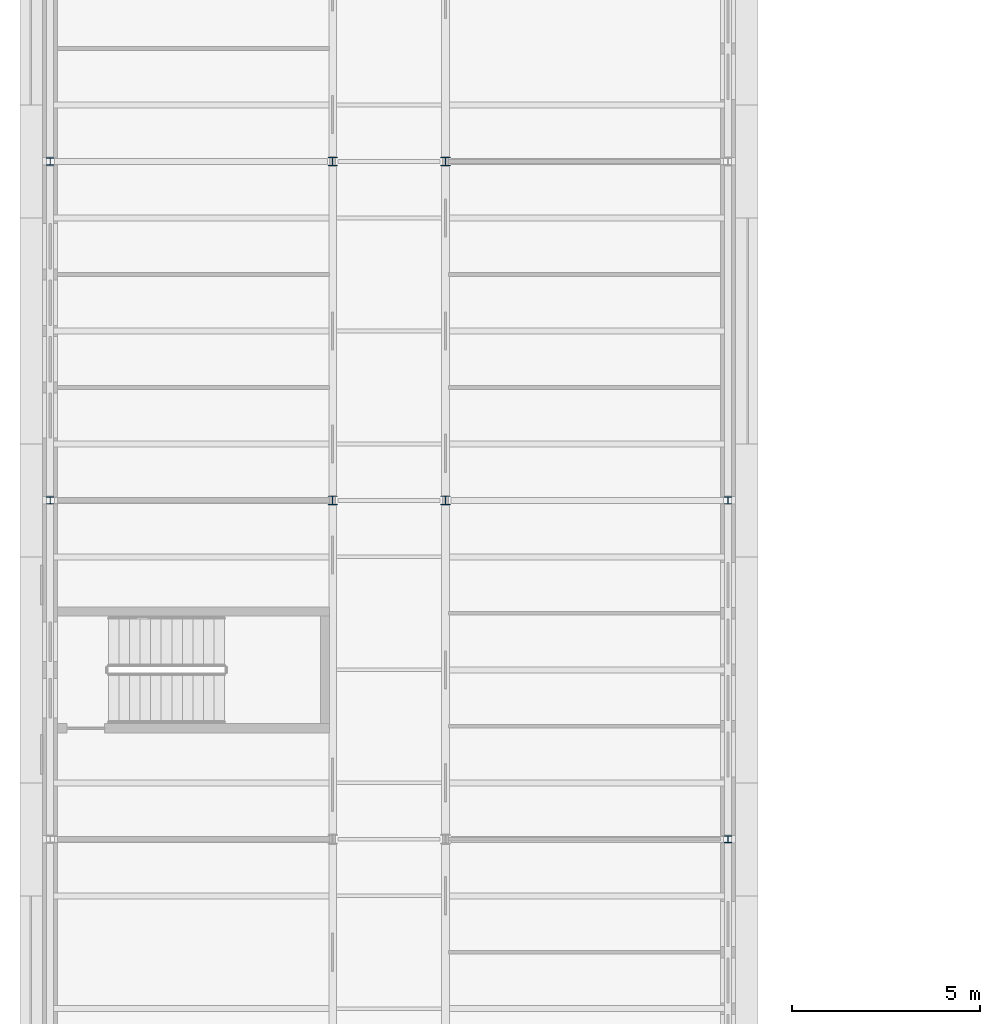
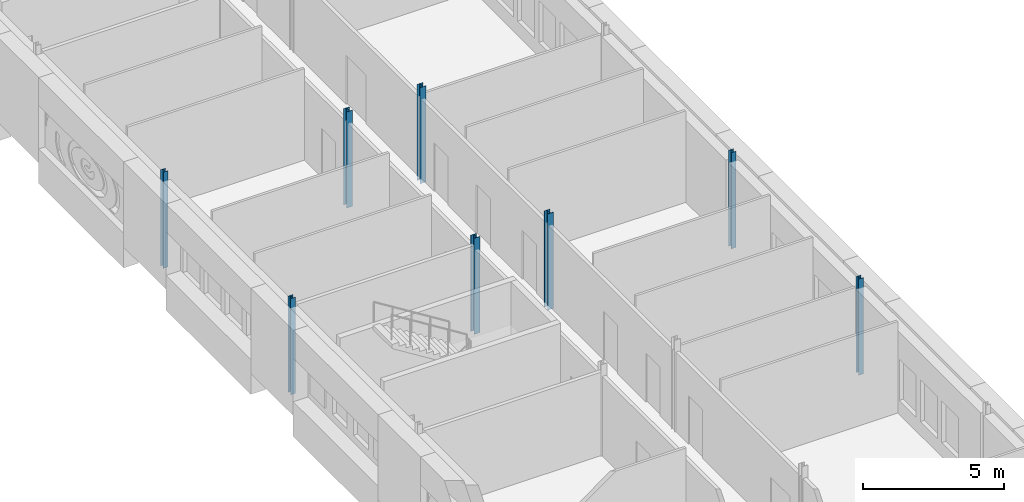
# One storey, part 3 of 42: 8 columns.
"""IFC4 building model written with IfcOpenShell, lengths in metres."""

from ifc_helpers import new_model, si_unit, direction, frame, origin, origin_2d, place, context, subcontext, project, spatial, i_section, extrude, material, material_profile, profile_set, type_object, element, save


model = new_model("IFC4")

# Units and contexts
model_context = context("Model", 3, precision=1e-05, world=origin(), true_north=direction((0.0, 1.0)))
body_context = subcontext(model_context, "Body", "Model", "MODEL_VIEW")
ifc_project = project(units=[si_unit("LENGTHUNIT", "METRE"), si_unit("AREAUNIT", "SQUARE_METRE"), si_unit("VOLUMEUNIT", "CUBIC_METRE"), si_unit("PLANEANGLEUNIT", "RADIAN"), si_unit("MASSUNIT", "GRAM", prefix="KILO")], contexts=[model_context])

# Site, building, storey
site_placement = place(None, origin())
site = spatial("IfcSite", under=ifc_project, at=site_placement, CompositionType="ELEMENT")
building_placement = place(site_placement, origin())
building = spatial("IfcBuilding", under=site, at=building_placement, Name="Golden Quay Civic Hall", CompositionType="ELEMENT")
storey_placement = place(building_placement, frame((0.0, 0.0, 22.800048828125)))
storey = spatial("IfcBuildingStorey", under=building, at=storey_placement, Name="L05", CompositionType="ELEMENT", Elevation=22.800048828125)

# Columns
ifc_material_1 = material(Name="Steel S355", Category="steel")
ifc_material_profile_1 = material_profile(ifc_material_1, i_section(OverallWidth=0.199951171875, OverallDepth=0.18994140625, WebThickness=0.006591796875, FlangeThickness=0.010009765625, FilletRadius=0.01806640625, at=origin_2d()), Name="HEA 200")
ifc_profile_set_1 = profile_set([ifc_material_profile_1], Name="Steel S355")
column_type_1 = type_object("IfcColumnType", Name="Steel column HEA 200", PredefinedType="COLUMN", material=ifc_profile_set_1)
for number, where, z_axis, x_axis, name in (
    (1, (0.0, 36.0, -0.199951171875), (0.0, 0.0, 1.0), (1.0, 0.0, 0.0), "Column 0/36 L05"),
    (2, (0.0, 45.0, -0.199951171875), (0.0, 0.0, 1.0), (1.0, 0.0, 0.0), "Column 0/45 L05"),
    (3, (18.0, 27.0, -0.199951171875), (0.0, 0.0, 1.0), (1.0, 0.0, 0.0), "Column 18/27 L05"),
    (4, (18.0, 36.0, -0.199951171875), (0.0, 0.0, 1.0), (1.0, 0.0, 0.0), "Column 18/36 L05"),
):
    element("IfcColumn", number, at=place(storey_placement, frame(where, z_axis=z_axis, x_axis=x_axis)), inside=storey, type_object=column_type_1, Name=name, PredefinedType="COLUMN", context=body_context, shape_type="SweptSolid", body=[
        extrude(i_section(OverallWidth=0.199951171875, OverallDepth=0.18994140625, WebThickness=0.006591796875, FlangeThickness=0.010009765625, FilletRadius=0.01806640625, at=origin_2d()), origin(), (0.0, 0.0, 1.0), 4.14990234375),
    ])
ifc_material_2 = material(Name="Steel S355", Category="steel")
ifc_material_profile_2 = material_profile(ifc_material_2, i_section(OverallWidth=0.239990234375, OverallDepth=0.22998046875, WebThickness=0.007568359375, FlangeThickness=0.011962890625, FilletRadius=0.02099609375, at=origin_2d()), Name="HEA 240")
ifc_profile_set_2 = profile_set([ifc_material_profile_2], Name="Steel S355")
column_type_2 = type_object("IfcColumnType", Name="Steel column HEA 240", PredefinedType="COLUMN", material=ifc_profile_set_2)
for number, where, z_axis, x_axis, name in (
    (5, (7.5, 36.0, -0.199951171875), (0.0, 0.0, 1.0), (1.0, 0.0, 0.0), "Column 7.5/36 L05"),
    (6, (7.5, 45.0, -0.199951171875), (0.0, 0.0, 1.0), (1.0, 0.0, 0.0), "Column 7.5/45 L05"),
    (7, (10.5, 36.0, -0.199951171875), (0.0, 0.0, 1.0), (1.0, 0.0, 0.0), "Column 10.5/36 L05"),
    (8, (10.5, 45.0, -0.199951171875), (0.0, 0.0, 1.0), (1.0, 0.0, 0.0), "Column 10.5/45 L05"),
):
    element("IfcColumn", number, at=place(storey_placement, frame(where, z_axis=z_axis, x_axis=x_axis)), inside=storey, type_object=column_type_2, Name=name, PredefinedType="COLUMN", context=body_context, shape_type="SweptSolid", body=[
        extrude(i_section(OverallWidth=0.239990234375, OverallDepth=0.22998046875, WebThickness=0.007568359375, FlangeThickness=0.011962890625, FilletRadius=0.02099609375, at=origin_2d()), origin(), (0.0, 0.0, 1.0), 4.14990234375),
    ])

save(model, "model.ifc")
